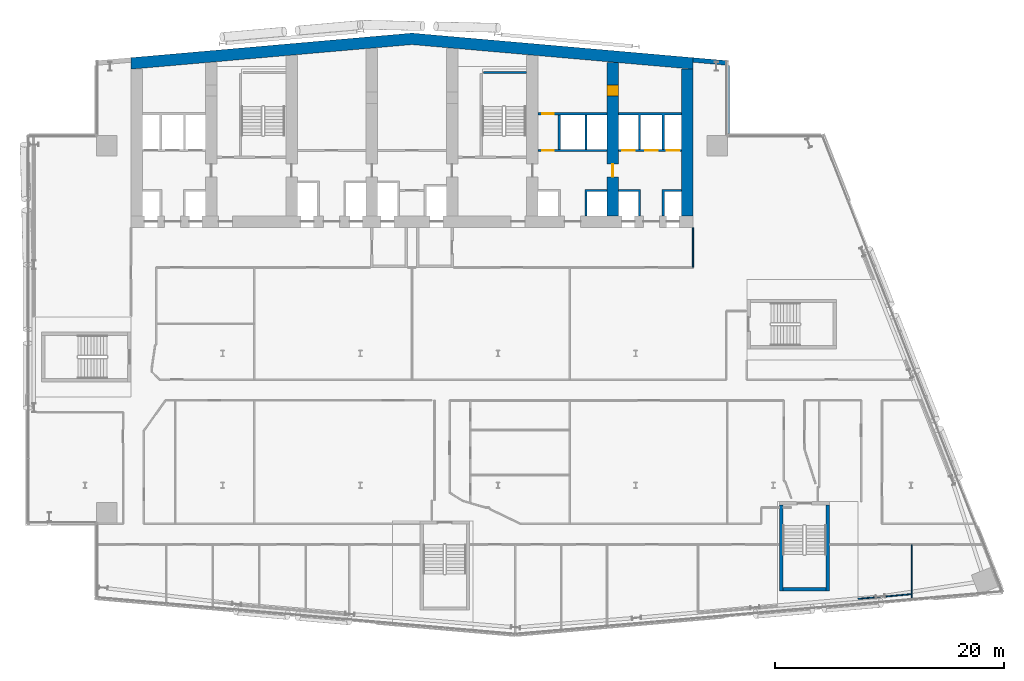
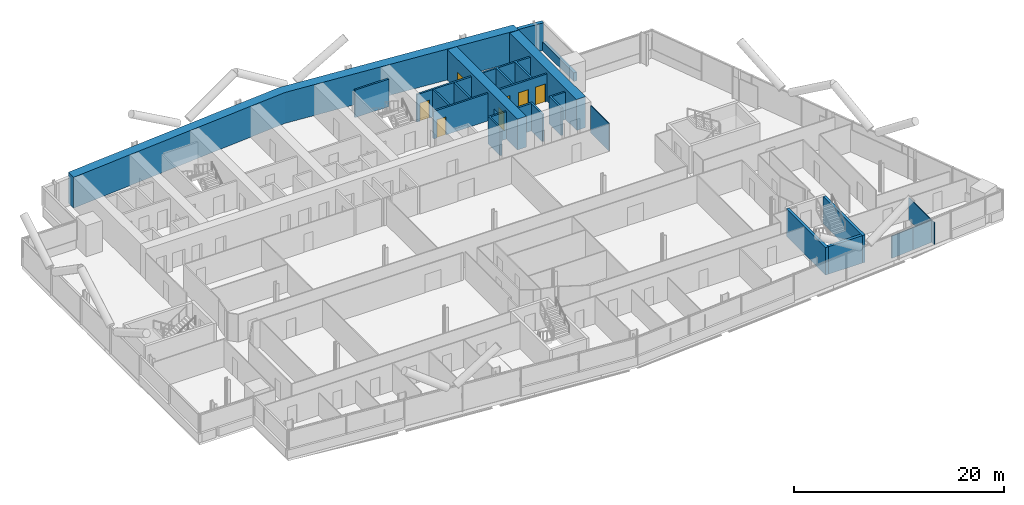
# One storey, part 19 of 28: 22 walls, 7 doors, 7 openings.
"""IFC4 building model written with IfcOpenShell, lengths in metres."""

from ifc_helpers import new_model, si_unit, direction, frame, frame_2d, origin, place, context, subcontext, project, spatial, polyline, rectangle, outline, extrude, material, layer, layer_set, type_object, element, fill, save


model = new_model("IFC4")

# Units and contexts
model_context = context("Model", 3, precision=1e-05, world=origin(), true_north=direction((0.0, 1.0)))
body_context = subcontext(model_context, "Body", "Model", "MODEL_VIEW")
ifc_project = project(units=[si_unit("LENGTHUNIT", "METRE"), si_unit("AREAUNIT", "SQUARE_METRE"), si_unit("VOLUMEUNIT", "CUBIC_METRE"), si_unit("PLANEANGLEUNIT", "RADIAN"), si_unit("MASSUNIT", "GRAM", prefix="KILO")], contexts=[model_context])

# Site, building, storey
site_placement = place(None, origin())
site = spatial("IfcSite", under=ifc_project, at=site_placement, CompositionType="ELEMENT")
building_placement = place(site_placement, origin())
building = spatial("IfcBuilding", under=site, at=building_placement, Name="Wharfspan Tower", CompositionType="ELEMENT")
storey_placement = place(building_placement, frame((0.0, 0.0, 132.699951)))
storey = spatial("IfcBuildingStorey", under=building, at=storey_placement, Name="L31", CompositionType="ELEMENT", Elevation=132.699951)

# Walls
ifc_material_1 = material(Name="Gypsum board on steel studs", Category="steel")
ifc_layer_1 = layer(ifc_material_1, 0.100098)
ifc_layer_set_1 = layer_set([ifc_layer_1], Name="Gypsum board on steel studs")
wall_type_1 = type_object("IfcWallType", Name="Compartment wall 100 EI 60", PredefinedType="PARTITIONING", material=ifc_layer_set_1)
wall_1_placement = place(storey_placement, frame((65.0, 30.5, 0.0), z_axis=(0.0, 0.0, 1.0), x_axis=(0.0, 1.0, 0.0)))
element("IfcWall", 1, at=wall_1_placement, inside=storey, type_object=wall_type_1, Name="Partition L31.w055", PredefinedType="PARTITIONING", context=body_context, shape_type="SweptSolid", body=[
    extrude(rectangle(XDim=3.47998, YDim=0.100098, at=frame_2d((1.73999, 0.0))), origin(), (0.0, 0.0, 1.0), 3.199951),
])
wall_2_placement = place(storey_placement, frame((84.060059, 1.525391, 0.0), z_axis=(0.0, 0.0, 1.0), x_axis=(0.0, 1.0, 0.0)))
element("IfcWall", 2, at=wall_2_placement, inside=storey, type_object=wall_type_1, Name="Partition L31.w087", PredefinedType="PARTITIONING", context=body_context, shape_type="SweptSolid", body=[
    extrude(rectangle(XDim=4.81958, YDim=0.100098, at=frame_2d((2.409668, 0.0))), origin(), (0.0, 0.0, 1.0), 2.580078),
])
ifc_material_2 = material(Name="Concrete C70/85", Category="concrete")
ifc_layer_2 = layer(ifc_material_2, 1.0)
ifc_layer_set_2 = layer_set([ifc_layer_2], Name="Concrete C70/85")
wall_type_2 = type_object("IfcWallType", Name="Core wall 1000 C70/85", PredefinedType="SHEAR", material=ifc_layer_set_2)
wall_3_placement = place(storey_placement, origin())
element("IfcWall", 3, at=wall_3_placement, inside=storey, type_object=wall_type_2, Name="Core rear wall L31", PredefinedType="SHEAR", context=body_context, shape_type="SweptSolid", body=[
    extrude(outline(polyline([(16.0, 47.783691), (40.5, 49.927002), (65.0, 47.783691), (65.0, 48.787354), (40.5, 50.930908), (16.0, 48.787354), (16.0, 47.783691)])), origin(), (0.0, 0.0, 1.0), 3.600098),
])

# Wall, openings, doors
wall_4_placement = place(storey_placement, frame((58.0, 35.0, 0.0), z_axis=(0.0, 0.0, 1.0), x_axis=(0.0, 1.0, 0.0)))
wall_4 = element("IfcWall", 4, at=wall_4_placement, inside=storey, type_object=wall_type_2, Name="Core cross wall X7 L31", PredefinedType="SHEAR", context=body_context, shape_type="SweptSolid", body=[
    extrude(rectangle(XDim=13.352295, YDim=1.0, at=frame_2d((6.67627, 0.0))), origin(), (0.0, 0.0, 1.0), 3.600098),
])
opening_1_placement = place(wall_4_placement, frame((10.425537, 0.0, 0.0)))
opening_1 = element("IfcOpeningElement", 5, at=opening_1_placement, cuts=wall_4, Name="Opening CD31.7X", PredefinedType="OPENING", context=body_context, shape_type="SweptSolid", body=[
    extrude(rectangle(XDim=1.0, YDim=2.100098, at=frame_2d((0.5, 1.050049))), frame((0.0, 0.51001, 0.0), z_axis=(0.0, -1.0, 0.0), x_axis=(1.0, 0.0, 0.0)), (0.0, 0.0, 1.0), 1.02002),
])
opening_2_placement = place(wall_4_placement, frame((3.399902, 0.0, 0.0)))
opening_2 = element("IfcOpeningElement", 6, at=opening_2_placement, cuts=wall_4, Name="Opening CC31.7", PredefinedType="OPENING", context=body_context, shape_type="SweptSolid", body=[
    extrude(rectangle(XDim=1.100098, YDim=2.100098, at=frame_2d((0.550049, 1.050049))), frame((0.0, 0.51001, 0.0), z_axis=(0.0, -1.0, 0.0), x_axis=(1.0, 0.0, 0.0)), (0.0, 0.0, 1.0), 1.02002),
])
ifc_material_3 = material(Name="Steel door leaf", Category="steel")
door_type_1 = type_object("IfcDoorType", Name="Core corridor door 1100x2100", OperationType="SINGLE_SWING_LEFT", PredefinedType="DOOR", material=ifc_material_3)
door_1_placement = place(opening_2_placement, origin())
door_1 = element("IfcDoor", 7, at=door_1_placement, inside=storey, type_object=door_type_1, Name="xd:L31:7", OperationType="SINGLE_SWING_LEFT", OverallHeight=2.100098, OverallWidth=1.100098, PredefinedType="DOOR", context=body_context, shape_type="SweptSolid", body=[
    extrude(rectangle(XDim=1.100098, YDim=2.100098, at=frame_2d((0.550049, 1.050049))), frame((0.0, 0.024902, 0.0), z_axis=(0.0, -1.0, 0.0), x_axis=(1.0, 0.0, 0.0)), (0.0, 0.0, 1.0), 0.050049),
])
fill(opening_2, door_1)
door_type_2 = type_object("IfcDoorType", Name="Core room door 1000x2100", OperationType="SINGLE_SWING_LEFT", PredefinedType="DOOR", material=ifc_material_3)
door_2_placement = place(opening_1_placement, origin())
door_2 = element("IfcDoor", 8, at=door_2_placement, inside=storey, type_object=door_type_2, Name="d:L31:7:sx", OperationType="SINGLE_SWING_LEFT", OverallHeight=2.100098, OverallWidth=1.0, PredefinedType="DOOR", context=body_context, shape_type="SweptSolid", body=[
    extrude(rectangle(XDim=1.0, YDim=2.100098, at=frame_2d((0.5, 1.050049))), frame((0.0, 0.499756, 0.0), z_axis=(0.0, -1.0, 0.0), x_axis=(1.0, 0.0, 0.0)), (0.0, 0.0, 1.0), 0.999512),
])
fill(opening_1, door_2)

# Wall
wall_5_placement = place(storey_placement, frame((64.5, 35.0, 0.0), z_axis=(0.0, 0.0, 1.0), x_axis=(0.0, 1.0, 0.0)))
element("IfcWall", 9, at=wall_5_placement, inside=storey, type_object=wall_type_2, Name="Core cross wall EW1 L31", PredefinedType="SHEAR", context=body_context, shape_type="SweptSolid", body=[
    extrude(rectangle(XDim=12.783691, YDim=1.0, at=frame_2d((6.391846, 0.0))), origin(), (0.0, 0.0, 1.0), 3.600098),
])

# Wall, opening, door
ifc_material_4 = material(Name="Concrete C30/37", Category="concrete")
ifc_layer_3 = layer(ifc_material_4, 0.199951)
ifc_layer_set_3 = layer_set([ifc_layer_3], Name="Concrete C30/37")
wall_type_3 = type_object("IfcWallType", Name="Lift shaft wall 200", PredefinedType="PARTITIONING", material=ifc_layer_set_3)
wall_6_placement = place(storey_placement, frame((51.5, 40.699951, 0.0), z_axis=(0.0, 0.0, 1.0), x_axis=(1.0, 0.0, 0.0)))
wall_6 = element("IfcWall", 10, at=wall_6_placement, inside=storey, type_object=wall_type_3, Name="sw:L31:RF6", PredefinedType="PARTITIONING", context=body_context, shape_type="SweptSolid", body=[
    extrude(rectangle(XDim=6.0, YDim=0.199951, at=frame_2d((3.0, 0.0))), origin(), (0.0, 0.0, 1.0), 3.199951),
])
opening_3_placement = place(wall_6_placement, frame((0.366699, 0.0, 0.0)))
opening_3 = element("IfcOpeningElement", 11, at=opening_3_placement, cuts=wall_6, Name="Opening CD31.6R1", PredefinedType="OPENING", context=body_context, shape_type="SweptSolid", body=[
    extrude(rectangle(XDim=1.0, YDim=2.100098, at=frame_2d((0.5, 1.050049))), frame((0.0, 0.109863, 0.0), z_axis=(0.0, -1.0, 0.0), x_axis=(1.0, 0.0, 0.0)), (0.0, 0.0, 1.0), 0.219971),
])
door_3_placement = place(opening_3_placement, origin())
door_3 = element("IfcDoor", 12, at=door_3_placement, inside=storey, type_object=door_type_2, Name="d:L31:6:rd6.1", OperationType="SINGLE_SWING_RIGHT", OverallHeight=2.100098, OverallWidth=1.0, PredefinedType="DOOR", context=body_context, shape_type="SweptSolid", body=[
    extrude(rectangle(XDim=1.0, YDim=2.100098, at=frame_2d((0.5, 1.050049))), frame((0.0, 0.024902, 0.0), z_axis=(0.0, -1.0, 0.0), x_axis=(1.0, 0.0, 0.0)), (0.0, 0.0, 1.0), 0.050049),
])
fill(opening_3, door_3)

wall_7_placement = place(storey_placement, frame((51.5, 43.899902, 0.0), z_axis=(0.0, 0.0, 1.0), x_axis=(1.0, 0.0, 0.0)))
wall_7 = element("IfcWall", 13, at=wall_7_placement, inside=storey, type_object=wall_type_3, Name="sw:L31:RR6", PredefinedType="PARTITIONING", context=body_context, shape_type="SweptSolid", body=[
    extrude(rectangle(XDim=6.0, YDim=0.199951, at=frame_2d((3.0, 0.0))), origin(), (0.0, 0.0, 1.0), 3.199951),
])
opening_4_placement = place(wall_7_placement, frame((0.366699, 0.0, 0.0)))
opening_4 = element("IfcOpeningElement", 14, at=opening_4_placement, cuts=wall_7, Name="Opening CD31.6S1", PredefinedType="OPENING", context=body_context, shape_type="SweptSolid", body=[
    extrude(rectangle(XDim=1.0, YDim=2.100098, at=frame_2d((0.5, 1.050049))), frame((0.0, 0.109863, 0.0), z_axis=(0.0, -1.0, 0.0), x_axis=(1.0, 0.0, 0.0)), (0.0, 0.0, 1.0), 0.219971),
])
door_4_placement = place(opening_4_placement, origin())
door_4 = element("IfcDoor", 15, at=door_4_placement, inside=storey, type_object=door_type_2, Name="d:L31:6:rs6.1", OperationType="SINGLE_SWING_LEFT", OverallHeight=2.100098, OverallWidth=1.0, PredefinedType="DOOR", context=body_context, shape_type="SweptSolid", body=[
    extrude(rectangle(XDim=1.0, YDim=2.100098, at=frame_2d((0.5, 1.050049))), frame((0.0, 0.024902, 0.0), z_axis=(0.0, -1.0, 0.0), x_axis=(1.0, 0.0, 0.0)), (0.0, 0.0, 1.0), 0.050049),
])
fill(opening_4, door_4)

# Walls
wall_8_placement = place(storey_placement, frame((0.0, 0.0, -0.000244)))
element("IfcWall", 16, at=wall_8_placement, inside=storey, type_object=wall_type_3, Name="sw:L31:FM6.1", PredefinedType="PARTITIONING", context=body_context, shape_type="SweptSolid", body=[
    extrude(outline(polyline([(55.56665, 37.300049), (55.766602, 37.300049), (57.5, 37.300049), (57.5, 37.100098), (55.766602, 37.100098), (55.766602, 35.0), (55.56665, 35.0), (55.56665, 37.300049)])), origin(), (0.0, 0.0, 1.0), 3.200195),
])
wall_9_placement = place(storey_placement, frame((0.0, 0.0, -0.000244)))
element("IfcWall", 17, at=wall_9_placement, inside=storey, type_object=wall_type_3, Name="sw:L31:RM6.0", PredefinedType="PARTITIONING", context=body_context, shape_type="SweptSolid", body=[
    extrude(outline(polyline([(53.233398, 40.800049), (53.233398, 43.800049), (53.43335, 43.800049), (53.43335, 40.800049), (53.233398, 40.800049)])), origin(), (0.0, 0.0, 1.0), 3.200195),
])
wall_10_placement = place(storey_placement, frame((0.0, 0.0, -0.000244)))
element("IfcWall", 18, at=wall_10_placement, inside=storey, type_object=wall_type_3, Name="sw:L31:RM6.1", PredefinedType="PARTITIONING", context=body_context, shape_type="SweptSolid", body=[
    extrude(outline(polyline([(55.56665, 40.800049), (55.56665, 43.800049), (55.766602, 43.800049), (55.766602, 40.800049), (55.56665, 40.800049)])), origin(), (0.0, 0.0, 1.0), 3.200195),
])

# Wall, openings, doors
wall_11_placement = place(storey_placement, frame((58.5, 40.699951, 0.0), z_axis=(0.0, 0.0, 1.0), x_axis=(1.0, 0.0, 0.0)))
wall_11 = element("IfcWall", 19, at=wall_11_placement, inside=storey, type_object=wall_type_3, Name="sw:L31:RF7", PredefinedType="PARTITIONING", context=body_context, shape_type="SweptSolid", body=[
    extrude(rectangle(XDim=5.5, YDim=0.199951, at=frame_2d((2.75, 0.0))), origin(), (0.0, 0.0, 1.0), 3.199951),
])
opening_5_placement = place(wall_11_placement, frame((0.31665, 0.0, 0.0)))
opening_5 = element("IfcOpeningElement", 20, at=opening_5_placement, cuts=wall_11, Name="Opening LD.LA8.L31", PredefinedType="OPENING", context=body_context, shape_type="SweptSolid", body=[
    extrude(rectangle(XDim=1.100098, YDim=2.100098, at=frame_2d((0.550049, 1.050049))), frame((0.0, 0.109863, 0.0), z_axis=(0.0, -1.0, 0.0), x_axis=(1.0, 0.0, 0.0)), (0.0, 0.0, 1.0), 0.219971),
])
opening_6_placement = place(wall_11_placement, frame((2.31665, 0.0, 0.0)))
opening_6 = element("IfcOpeningElement", 21, at=opening_6_placement, cuts=wall_11, Name="Opening LD.LA9.L31", PredefinedType="OPENING", context=body_context, shape_type="SweptSolid", body=[
    extrude(rectangle(XDim=1.100098, YDim=2.100098, at=frame_2d((0.550049, 1.050049))), frame((0.0, 0.109863, 0.0), z_axis=(0.0, -1.0, 0.0), x_axis=(1.0, 0.0, 0.0)), (0.0, 0.0, 1.0), 0.219971),
])
opening_7_placement = place(wall_11_placement, frame((4.199951, 0.0, 0.0)))
opening_7 = element("IfcOpeningElement", 22, at=opening_7_placement, cuts=wall_11, Name="Opening LD.LA10.L31", PredefinedType="OPENING", context=body_context, shape_type="SweptSolid", body=[
    extrude(rectangle(XDim=1.100098, YDim=2.100098, at=frame_2d((0.550049, 1.050049))), frame((0.0, 0.109863, 0.0), z_axis=(0.0, -1.0, 0.0), x_axis=(1.0, 0.0, 0.0)), (0.0, 0.0, 1.0), 0.219971),
])
ifc_material_5 = material(Name="Stainless steel", Category="steel")
door_type_3 = type_object("IfcDoorType", Name="Lift landing door 1100x2100", OperationType="DOUBLE_DOOR_SLIDING", PredefinedType="DOOR", material=ifc_material_5)
door_5_placement = place(opening_5_placement, origin())
door_5 = element("IfcDoor", 23, at=door_5_placement, inside=storey, type_object=door_type_3, Name="Landing door LA8 L31", OperationType="DOUBLE_DOOR_SLIDING", OverallHeight=2.100098, OverallWidth=1.100098, PredefinedType="DOOR", context=body_context, shape_type="SweptSolid", body=[
    extrude(rectangle(XDim=1.100098, YDim=2.100098, at=frame_2d((0.550049, 1.050049))), frame((0.0, 0.024902, 0.0), z_axis=(0.0, -1.0, 0.0), x_axis=(1.0, 0.0, 0.0)), (0.0, 0.0, 1.0), 0.050049),
])
fill(opening_5, door_5)
door_6_placement = place(opening_6_placement, origin())
door_6 = element("IfcDoor", 24, at=door_6_placement, inside=storey, type_object=door_type_3, Name="Landing door LA9 L31", OperationType="DOUBLE_DOOR_SLIDING", OverallHeight=2.100098, OverallWidth=1.100098, PredefinedType="DOOR", context=body_context, shape_type="SweptSolid", body=[
    extrude(rectangle(XDim=1.100098, YDim=2.100098, at=frame_2d((0.550049, 1.050049))), frame((0.0, 0.024902, 0.0), z_axis=(0.0, -1.0, 0.0), x_axis=(1.0, 0.0, 0.0)), (0.0, 0.0, 1.0), 0.050049),
])
fill(opening_6, door_6)
door_7_placement = place(opening_7_placement, origin())
door_7 = element("IfcDoor", 25, at=door_7_placement, inside=storey, type_object=door_type_3, Name="Landing door LA10 L31", OperationType="DOUBLE_DOOR_SLIDING", OverallHeight=2.100098, OverallWidth=1.100098, PredefinedType="DOOR", context=body_context, shape_type="SweptSolid", body=[
    extrude(rectangle(XDim=1.100098, YDim=2.100098, at=frame_2d((0.550049, 1.050049))), frame((0.0, 0.024902, 0.0), z_axis=(0.0, -1.0, 0.0), x_axis=(1.0, 0.0, 0.0)), (0.0, 0.0, 1.0), 0.050049),
])
fill(opening_7, door_7)

# Walls
wall_12_placement = place(storey_placement, frame((0.0, 0.0, -0.000244)))
element("IfcWall", 26, at=wall_12_placement, inside=storey, type_object=wall_type_3, Name="sw:L31:FM7.0", PredefinedType="PARTITIONING", context=body_context, shape_type="SweptSolid", body=[
    extrude(outline(polyline([(60.233398, 37.100098), (58.5, 37.100098), (58.5, 37.300049), (60.233398, 37.300049), (60.43335, 37.300049), (60.43335, 35.0), (60.233398, 35.0), (60.233398, 37.100098)])), origin(), (0.0, 0.0, 1.0), 3.200195),
])
wall_13_placement = place(storey_placement, frame((0.0, 0.0, -0.000244)))
element("IfcWall", 27, at=wall_13_placement, inside=storey, type_object=wall_type_3, Name="sw:L31:FM7.1", PredefinedType="PARTITIONING", context=body_context, shape_type="SweptSolid", body=[
    extrude(outline(polyline([(62.300049, 37.300049), (62.5, 37.300049), (64.0, 37.300049), (64.0, 37.100098), (62.5, 37.100098), (62.5, 35.0), (62.300049, 35.0), (62.300049, 37.300049)])), origin(), (0.0, 0.0, 1.0), 3.200195),
])
wall_14_placement = place(storey_placement, frame((0.0, 0.0, -0.000244)))
element("IfcWall", 28, at=wall_14_placement, inside=storey, type_object=wall_type_3, Name="sw:L31:RM7.0", PredefinedType="PARTITIONING", context=body_context, shape_type="SweptSolid", body=[
    extrude(outline(polyline([(60.43335, 40.800049), (60.233398, 40.800049), (60.233398, 43.800049), (58.5, 43.800049), (58.5, 44.0), (64.0, 44.0), (64.0, 43.800049), (62.5, 43.800049), (62.5, 40.800049), (62.300049, 40.800049), (62.300049, 43.800049), (60.43335, 43.800049), (60.43335, 40.800049)])), origin(), (0.0, 0.0, 1.0), 3.200195),
])
ifc_layer_4 = layer(ifc_material_1, 0.100098)
ifc_layer_set_4 = layer_set([ifc_layer_4], Name="Gypsum board on steel studs")
wall_type_4 = type_object("IfcWallType", Name="Partition 100", PredefinedType="PARTITIONING", material=ifc_layer_set_4)
wall_15_placement = place(storey_placement, frame((79.385986, 1.606689, 0.0), z_axis=(0.0, 0.0, 1.0), x_axis=(0.996209, 0.086973, 0.0)))
element("IfcWall", 29, at=wall_15_placement, inside=storey, type_object=wall_type_4, Name="Partition L31.w078", PredefinedType="PARTITIONING", context=body_context, shape_type="SweptSolid", body=[
    extrude(rectangle(XDim=2.453369, YDim=0.100098, at=frame_2d((1.226562, 0.0))), origin(), (0.0, 0.0, 1.0), 2.580078),
])
wall_16_placement = place(storey_placement, frame((81.830078, 1.814941, 0.0), z_axis=(0.0, 0.0, 1.0), x_axis=(0.995841, 0.091138, 0.0)))
element("IfcWall", 30, at=wall_16_placement, inside=storey, type_object=wall_type_4, Name="Partition L31.w084", PredefinedType="PARTITIONING", context=body_context, shape_type="SweptSolid", body=[
    extrude(rectangle(XDim=2.193848, YDim=0.100098, at=frame_2d((1.096924, 0.0))), origin(), (0.0, 0.0, 1.0), 2.580078),
])
ifc_material_6 = material(Name="Concrete C40/50", Category="concrete")
ifc_layer_5 = layer(ifc_material_6, 0.350098)
ifc_layer_set_5 = layer_set([ifc_layer_5], Name="Concrete C40/50")
wall_type_5 = type_object("IfcWallType", Name="SPANDREL EXPOSED CONCRETE 350", PredefinedType="SOLIDWALL", material=ifc_layer_set_5)
wall_17_placement = place(storey_placement, frame((68.004883, 42.179932, 0.0), z_axis=(0.0, 0.0, 1.0), x_axis=(0.0, 1.0, 0.0)))
element("IfcWall", 31, at=wall_17_placement, inside=storey, type_object=wall_type_5, Name="Spandrel upstand L31 NRE-V", PredefinedType="SOLIDWALL", context=body_context, shape_type="SweptSolid", body=[
    extrude(rectangle(XDim=5.946533, YDim=0.350098, at=frame_2d((2.973145, 0.0))), origin(), (0.0, 0.0, 1.0), 1.0),
])
ifc_layer_6 = layer(ifc_material_6, 0.300049)
ifc_layer_set_6 = layer_set([ifc_layer_6], Name="Concrete C40/50")
wall_type_6 = type_object("IfcWallType", Name="Stair core wall 300", PredefinedType="SHEAR", material=ifc_layer_set_6)
for number, where, z_axis, x_axis, name in (
    (32, (72.690918, 2.294678, 0.0), (0.0, 0.0, 1.0), (0.0, 1.0, 0.0), "ST5 stair enclosure wall L31"),
    (33, (76.740967, 2.294678, 0.0), (0.0, 0.0, 1.0), (0.0, 1.0, 0.0), "ST5 stair enclosure wall L31"),
):
    element("IfcWall", number, at=place(storey_placement, frame(where, z_axis=z_axis, x_axis=x_axis)), inside=storey, type_object=wall_type_6, Name=name, PredefinedType="SHEAR", context=body_context, shape_type="SweptSolid", body=[
        extrude(rectangle(XDim=7.5, YDim=0.300049, at=frame_2d((3.75, 0.0))), origin(), (0.0, 0.0, 1.0), 3.199951),
    ])
wall_18_placement = place(storey_placement, frame((72.841064, 2.44458, 0.0), z_axis=(0.0, 0.0, 1.0), x_axis=(1.0, 0.0, 0.0)))
element("IfcWall", 34, at=wall_18_placement, inside=storey, type_object=wall_type_6, Name="ST5 stair enclosure wall L31", PredefinedType="SHEAR", context=body_context, shape_type="SweptSolid", body=[
    extrude(rectangle(XDim=3.75, YDim=0.300049, at=frame_2d((1.875, 0.0))), origin(), (0.0, 0.0, 1.0), 3.199951),
])
ifc_layer_7 = layer(ifc_material_6, 0.199951)
ifc_layer_set_7 = layer_set([ifc_layer_7], Name="Concrete C40/50")
wall_type_7 = type_object("IfcWallType", Name="Stair shaft wall 200", PredefinedType="SHEAR", material=ifc_layer_set_7)
wall_19_placement = place(storey_placement, frame((46.75, 47.5, 0.0), z_axis=(0.0, 0.0, 1.0), x_axis=(1.0, 0.0, 0.0)))
element("IfcWall", 35, at=wall_19_placement, inside=storey, type_object=wall_type_7, Name="ST2 stair enclosure wall L31", PredefinedType="SHEAR", context=body_context, shape_type="SweptSolid", body=[
    extrude(rectangle(XDim=3.75, YDim=0.199951, at=frame_2d((1.875, 0.0))), origin(), (0.0, 0.0, 1.0), 3.199951),
])
ifc_layer_8 = layer(ifc_material_6, 0.399902)
ifc_layer_set_8 = layer_set([ifc_layer_8], Name="Concrete C40/50")
wall_type_8 = type_object("IfcWallType", Name="WALL EXPOSED CONCRETE 400", PredefinedType="SOLIDWALL", material=ifc_layer_set_8)
wall_20_placement = place(storey_placement, frame((67.982666, 48.325684, 0.0), z_axis=(0.0, 0.0, 1.0), x_axis=(-0.996194, 0.087168, 0.0)))
element("IfcWall", 36, at=wall_20_placement, inside=storey, type_object=wall_type_8, Name="Rear wall N2", PredefinedType="SOLIDWALL", context=body_context, shape_type="SweptSolid", body=[
    extrude(rectangle(XDim=2.994141, YDim=0.399902, at=frame_2d((1.49707, 0.0))), origin(), (0.0, 0.0, 1.0), 3.199951),
])

save(model, "model.ifc")
